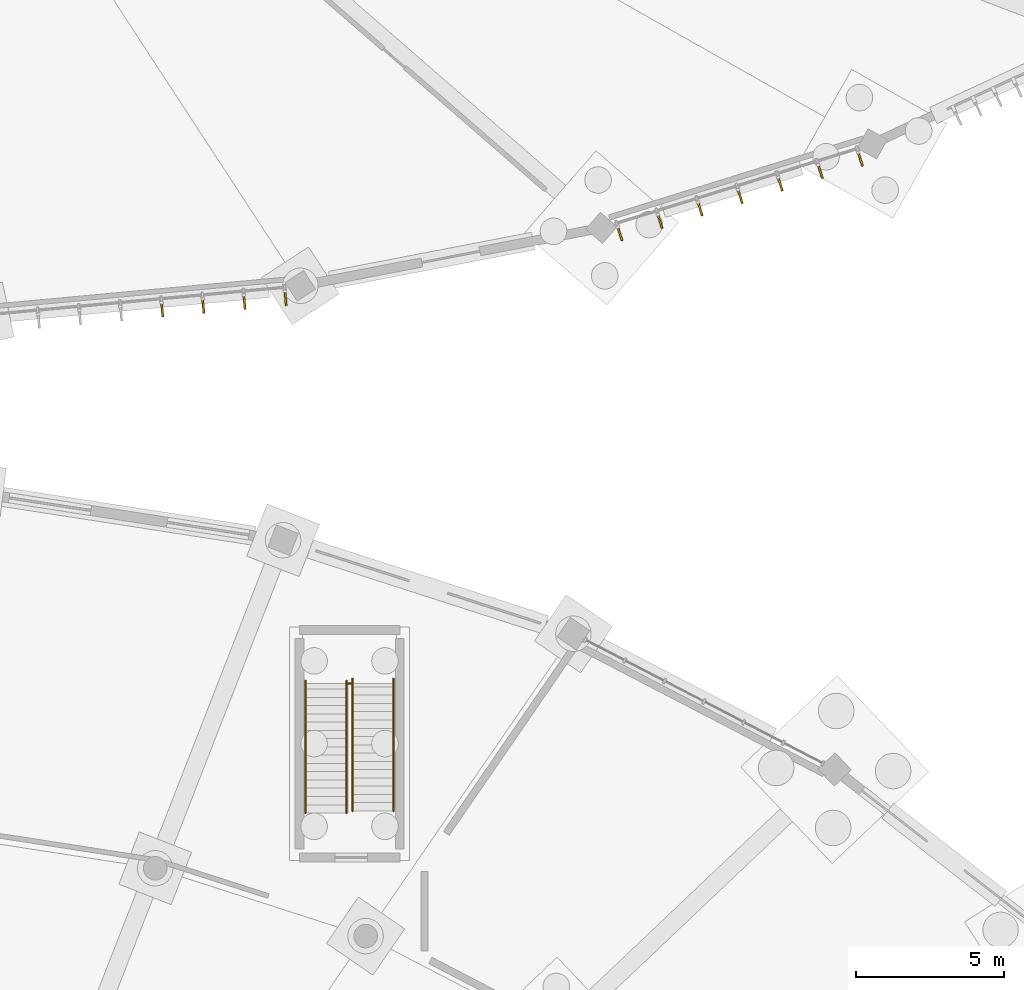
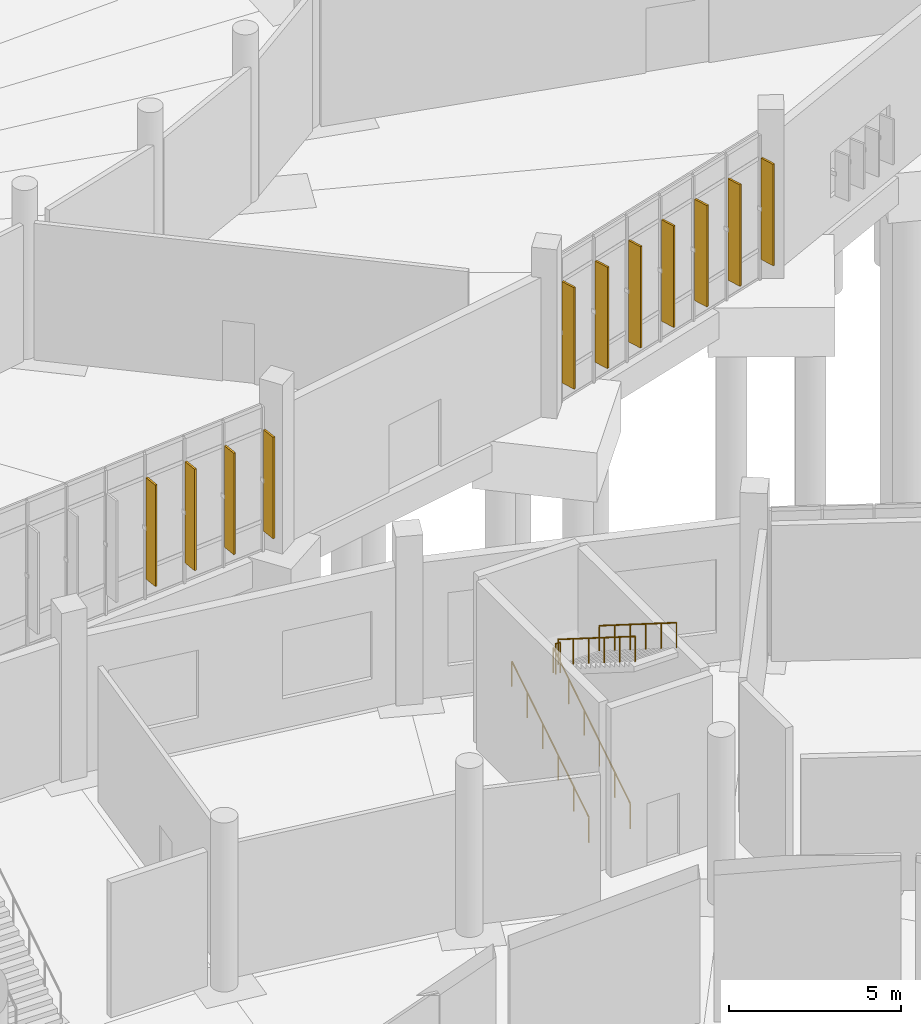
# One storey, part 131 of 140: 11 shading devices, 5 railings.
"""IFC4 building model written with IfcOpenShell, lengths in metres."""

from ifc_helpers import new_model, si_unit, direction, frame, origin, origin_2d, place, context, subcontext, project, spatial, rectangle, circle, extrude, material, layer, layer_set, type_object, element, save


model = new_model("IFC4")

# Units and contexts
model_context = context("Model", 3, precision=1e-05, world=origin(), true_north=direction((0.0, 1.0)))
body_context = subcontext(model_context, "Body", "Model", "MODEL_VIEW")
ifc_project = project(units=[si_unit("LENGTHUNIT", "METRE"), si_unit("AREAUNIT", "SQUARE_METRE"), si_unit("VOLUMEUNIT", "CUBIC_METRE"), si_unit("PLANEANGLEUNIT", "RADIAN"), si_unit("MASSUNIT", "GRAM", prefix="KILO")], contexts=[model_context])

# Site, building, storey
site_placement = place(None, origin())
site = spatial("IfcSite", under=ifc_project, at=site_placement, CompositionType="ELEMENT")
building_placement = place(site_placement, origin())
building = spatial("IfcBuilding", under=site, at=building_placement, Name="Corvandel Quay Wholesale Market", CompositionType="ELEMENT")
storey_placement = place(building_placement, origin())
storey = spatial("IfcBuildingStorey", under=building, at=storey_placement, Name="L00", CompositionType="ELEMENT", Elevation=0.0)

# Railings
ifc_material_1 = material(Name="Painted galvanised tubular steel", Category="steel")
ifc_layer_1 = layer(ifc_material_1, 0.054931640625)
ifc_layer_set_1 = layer_set([ifc_layer_1], Name="Painted galvanised tubular steel")
railing_type_1 = type_object("IfcRailingType", Name="Stairwell Inner Guard Railing GR02 1100mm", PredefinedType="GUARDRAIL", material=ifc_layer_set_1)
railing_placement = place(storey_placement, frame((131.919921875, 77.530029296875, 3.0)))
element("IfcRailing", 1, at=railing_placement, inside=storey, type_object=railing_type_1, Name="Stair Landing Well Guard 0017", PredefinedType="GUARDRAIL", context=body_context, shape_type="SweptSolid", body=[
    extrude(circle(Radius=0.02392578125, at=origin_2d()), frame((0.0, 0.0, 1.076171875), z_axis=(1.0, 0.0, 0.0), x_axis=(0.0, 1.0, 0.0)), (0.0, 0.0, 1.0), 0.16015625),
    extrude(circle(Radius=0.02099609375, at=origin_2d()), origin(), (0.0, 0.0, 1.0), 1.052001953125),
    extrude(circle(Radius=0.02099609375, at=origin_2d()), frame((0.16015625, 0.0, 0.0)), (0.0, 0.0, 1.0), 1.052001953125),
])
ifc_material_2 = material(Name="Brushed austenitic stainless steel Grade 316", Category="steel")
ifc_layer_2 = layer(ifc_material_2, 0.048095703125)
ifc_layer_set_2 = layer_set([ifc_layer_2], Name="Brushed austenitic stainless steel Grade 316")
railing_type_2 = type_object("IfcRailingType", Name="Tubular Stainless Stair Handrail HR01 915mm", PredefinedType="HANDRAIL", material=ifc_layer_set_2)
for number, where, name in (
    (2, (130.510009765625, 73.14990234375, 0.176513671875), "Stair Handrail 0013"),
    (3, (131.89990234375, 73.14990234375, 0.176513671875), "Stair Handrail 0014"),
):
    element("IfcRailing", number, at=place(storey_placement, frame(where)), inside=storey, type_object=railing_type_2, Name=name, PredefinedType="HANDRAIL", context=body_context, shape_type="SweptSolid", body=[
        extrude(circle(Radius=0.02392578125, at=origin_2d()), frame((0.0, 0.0, 0.89111328125), z_axis=(0.0, 0.845997938375, 0.533186166611), x_axis=(-1.0, 0.0, 0.0)), (0.0, 0.0, 1.0), 5.29541015625),
        extrude(circle(Radius=0.02099609375, at=origin_2d()), origin(), (0.0, 0.0, 1.0), 0.866943359375),
        extrude(circle(Radius=0.02099609375, at=origin_2d()), frame((0.0, 0.89599609375, 0.564697265625)), (0.0, 0.0, 1.0), 0.866943359375),
        extrude(circle(Radius=0.02099609375, at=origin_2d()), frame((0.0, 1.7919921875, 1.12939453125)), (0.0, 0.0, 1.0), 0.866943359375),
        extrude(circle(Radius=0.02099609375, at=origin_2d()), frame((0.0, 2.68798828125, 1.694091796875)), (0.0, 0.0, 1.0), 0.866943359375),
        extrude(circle(Radius=0.02099609375, at=origin_2d()), frame((0.0, 3.583984375, 2.2587890625)), (0.0, 0.0, 1.0), 0.866943359375),
        extrude(circle(Radius=0.02099609375, at=origin_2d()), frame((0.0, 4.47998046875, 2.823486328125)), (0.0, 0.0, 1.0), 0.866943359375),
    ])
for number, where, name in (
    (4, (132.10009765625, 77.699951171875, 3.176513671875), "Stair Handrail 0015"),
    (5, (133.489990234375, 77.699951171875, 3.176513671875), "Stair Handrail 0016"),
):
    element("IfcRailing", number, at=place(storey_placement, frame(where)), inside=storey, type_object=railing_type_2, Name=name, PredefinedType="HANDRAIL", context=body_context, shape_type="SweptSolid", body=[
        extrude(circle(Radius=0.02392578125, at=origin_2d()), frame((0.0, 0.0, 0.89111328125), z_axis=(0.0, -0.845997938375, 0.533186166611), x_axis=(1.0, 0.0, 0.0)), (0.0, 0.0, 1.0), 5.29541015625),
        extrude(circle(Radius=0.02099609375, at=origin_2d()), origin(), (0.0, 0.0, 1.0), 0.866943359375),
        extrude(circle(Radius=0.02099609375, at=origin_2d()), frame((0.0, -0.89599609375, 0.564697265625)), (0.0, 0.0, 1.0), 0.866943359375),
        extrude(circle(Radius=0.02099609375, at=origin_2d()), frame((0.0, -1.7919921875, 1.12939453125)), (0.0, 0.0, 1.0), 0.866943359375),
        extrude(circle(Radius=0.02099609375, at=origin_2d()), frame((0.0, -2.68798828125, 1.694091796875)), (0.0, 0.0, 1.0), 0.866943359375),
        extrude(circle(Radius=0.02099609375, at=origin_2d()), frame((0.0, -3.583984375, 2.2587890625)), (0.0, 0.0, 1.0), 0.866943359375),
        extrude(circle(Radius=0.02099609375, at=origin_2d()), frame((0.0, -4.47998046875, 2.823486328125)), (0.0, 0.0, 1.0), 0.866943359375),
    ])

# Shading devices
ifc_material_3 = material(Name="Bronze anodised extruded aluminium 6063-T6", Category="aluminium")
shading_device_type = type_object("IfcShadingDeviceType", Name="Vertical Anodised Bronze Solar Fin FN01 480mm", PredefinedType="JALOUSIE", material=ifc_material_3)
for number, where, z_axis, x_axis, name in (
    (6, (125.656494140625, 90.185302734375, 0.77490234375), (0.0, 0.0, 1.0), (-0.092023008338, 0.995756880939, 0.0), "Solar Fin 0356"),
    (7, (127.04833984375, 90.31396484375, 0.77490234375), (0.0, 0.0, 1.0), (-0.092023008338, 0.995756880939, 0.0), "Solar Fin 0357"),
    (8, (128.440185546875, 90.4423828125, 0.77490234375), (0.0, 0.0, 1.0), (-0.092023008338, 0.995756880939, 0.0), "Solar Fin 0358"),
    (9, (129.832275390625, 90.57080078125, 0.77490234375), (0.0, 0.0, 1.0), (-0.092023008338, 0.995756880939, 0.0), "Solar Fin 0359"),
    (10, (141.154296875, 92.756103515625, 0.77490234375), (0.0, 0.0, 1.0), (-0.296208192067, 0.955123398809, 0.0), "Solar Fin 0385"),
    (11, (142.510986328125, 93.177001953125, 0.77490234375), (0.0, 0.0, 1.0), (-0.296208192067, 0.955123398809, 0.0), "Solar Fin 0386"),
    (12, (143.867919921875, 93.59765625, 0.77490234375), (0.0, 0.0, 1.0), (-0.296208192067, 0.955123398809, 0.0), "Solar Fin 0387"),
    (13, (145.224609375, 94.0185546875, 0.77490234375), (0.0, 0.0, 1.0), (-0.296208192067, 0.955123398809, 0.0), "Solar Fin 0388"),
    (14, (146.581298828125, 94.439453125, 0.77490234375), (0.0, 0.0, 1.0), (-0.296208192067, 0.955123398809, 0.0), "Solar Fin 0389"),
    (15, (147.93798828125, 94.860107421875, 0.77490234375), (0.0, 0.0, 1.0), (-0.296208192067, 0.955123398809, 0.0), "Solar Fin 0390"),
    (16, (149.294921875, 95.281005859375, 0.77490234375), (0.0, 0.0, 1.0), (-0.296208192067, 0.955123398809, 0.0), "Solar Fin 0391"),
):
    element("IfcShadingDevice", number, at=place(storey_placement, frame(where, z_axis=z_axis, x_axis=x_axis)), inside=storey, type_object=shading_device_type, Name=name, PredefinedType="JALOUSIE", context=body_context, shape_type="SweptSolid", body=[
        extrude(rectangle(XDim=0.47998046875, YDim=0.06494140625, at=origin_2d()), origin(), (0.0, 0.0, 1.0), 3.60009765625),
    ])

save(model, "model.ifc")
